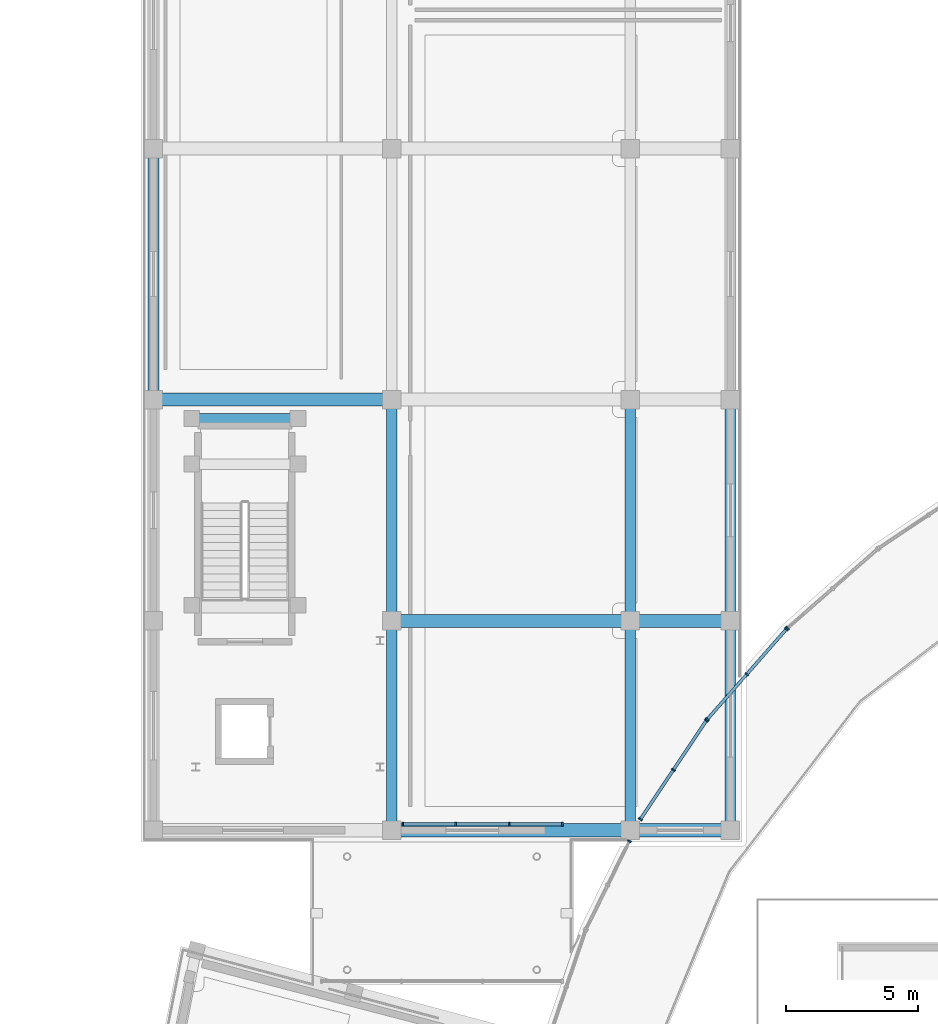
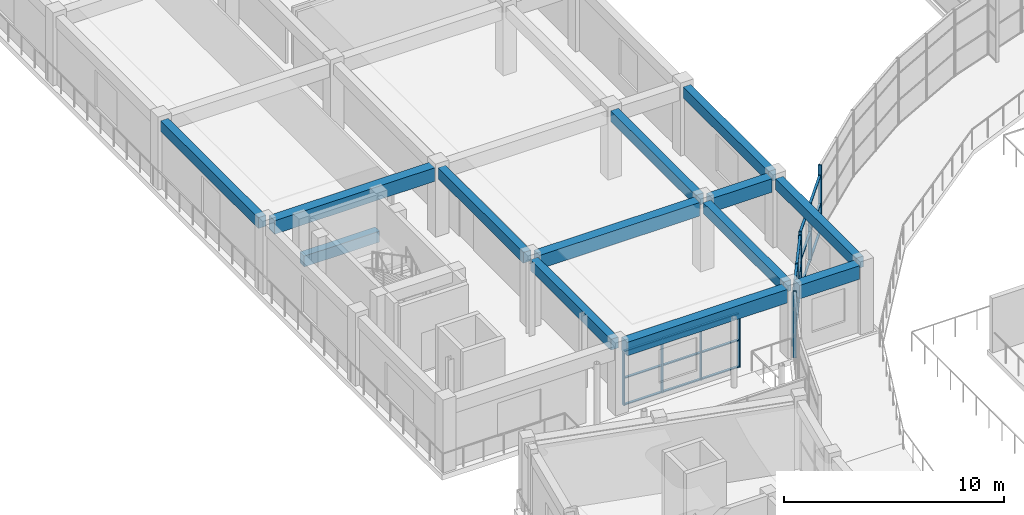
# One storey, part 26 of 83: 33 members, 13 beams, 5 elements without a shape of their own.
"""IFC4 building model written with IfcOpenShell, lengths in metres."""

from ifc_helpers import new_model, si_unit, direction, frame, origin, origin_2d, place, context, subcontext, project, spatial, rectangle, extrude, material, material_profile, profile_set, type_object, element, aggregate, save


model = new_model("IFC4")

# Units and contexts
model_context = context("Model", 3, precision=1e-05, world=origin(), true_north=direction((0.0, 1.0)))
body_context = subcontext(model_context, "Body", "Model", "MODEL_VIEW")
ifc_project = project(units=[si_unit("LENGTHUNIT", "METRE"), si_unit("AREAUNIT", "SQUARE_METRE"), si_unit("VOLUMEUNIT", "CUBIC_METRE"), si_unit("PLANEANGLEUNIT", "RADIAN"), si_unit("MASSUNIT", "GRAM", prefix="KILO")], contexts=[model_context])

# Site, building, storey
site_placement = place(None, origin())
site = spatial("IfcSite", under=ifc_project, at=site_placement, CompositionType="ELEMENT")
building_placement = place(site_placement, origin())
building = spatial("IfcBuilding", under=site, at=building_placement, Name="Saryqyr Civic Hall", CompositionType="ELEMENT")
storey_placement = place(building_placement, frame((0.0, 0.0, 9.14990234375)))
storey = spatial("IfcBuildingStorey", under=building, at=storey_placement, Name="L02", CompositionType="ELEMENT", Elevation=9.14990234375)

# Curtain wall, member
ifc_material_1 = material(Name="Anodised aluminium and triple low-E glass", Category="aluminium")
curtain_wall_type_1 = type_object("IfcCurtainWallType", Name="ENV-CW-STD-74", PredefinedType="NOTDEFINED", material=ifc_material_1)
curtain_wall_1_placement = place(storey_placement, origin())
curtain_wall_1 = element("IfcCurtainWall", 1, at=curtain_wall_1_placement, inside=storey, type_object=curtain_wall_type_1, Name="Curtain wall V2-PERIM-CW-L02-17", PredefinedType="NOTDEFINED")
ifc_material_2 = material(Name="Anodised aluminium", Category="aluminium")
ifc_material_profile_1 = material_profile(ifc_material_2, rectangle(XDim=0.06005859375, YDim=0.159912109375, at=origin_2d()), Name="ALU MULLION 60x160")
ifc_profile_set_1 = profile_set([ifc_material_profile_1], Name="Anodised aluminium")
member_type_1 = type_object("IfcMemberType", Name="ENV-CW-MUL-180", PredefinedType="MULLION", material=ifc_profile_set_1)
member_1_placement = place(storey_placement, frame((32.1181640625, 108.924072265625, 0.0), z_axis=(0.0, 0.0, 1.0), x_axis=(0.751838018573, 0.659347854951, 0.0)))
member_1 = element("IfcMember", 2, at=member_1_placement, type_object=member_type_1, Name="CW-74 mullion 1", PredefinedType="MULLION", context=body_context, shape_type="SweptSolid", body=[
    extrude(rectangle(XDim=0.06005859375, YDim=0.159912109375, at=origin_2d()), origin(), (0.0, 0.0, 1.0), 3.7001953125),
])
aggregate(curtain_wall_1, [member_1])

# Curtain wall, members
curtain_wall_type_2 = type_object("IfcCurtainWallType", Name="ENV-CW-STD-30", PredefinedType="NOTDEFINED", material=ifc_material_1)
curtain_wall_2_placement = place(storey_placement, origin())
curtain_wall_2 = element("IfcCurtainWall", 3, at=curtain_wall_2_placement, inside=storey, type_object=curtain_wall_type_2, Name="Curtain wall V2-PERIM-CW-L02-18", PredefinedType="NOTDEFINED")
member_2_placement = place(storey_placement, frame((29.077880859375, 105.463134765625, 0.0), z_axis=(0.0, 0.0, 1.0), x_axis=(0.659347854951, 0.751838018573, 0.0)))
member_2 = element("IfcMember", 4, at=member_2_placement, type_object=member_type_1, Name="CW-30 mullion 1", PredefinedType="MULLION", context=body_context, shape_type="SweptSolid", body=[
    extrude(rectangle(XDim=0.06005859375, YDim=0.159912109375, at=origin_2d()), origin(), (0.0, 0.0, 1.0), 3.155029296875),
])
member_3_placement = place(storey_placement, frame((30.576904296875, 107.17236328125, 0.0), z_axis=(0.0, 0.0, 1.0), x_axis=(0.659347854951, 0.751838018573, 0.0)))
member_3 = element("IfcMember", 5, at=member_3_placement, type_object=member_type_1, Name="CW-30 mullion 2", PredefinedType="MULLION", context=body_context, shape_type="SweptSolid", body=[
    extrude(rectangle(XDim=0.06005859375, YDim=0.159912109375, at=origin_2d()), origin(), (0.0, 0.0, 1.0), 3.155029296875),
])
member_4_placement = place(storey_placement, frame((32.075927734375, 108.8818359375, 0.0), z_axis=(0.0, 0.0, 1.0), x_axis=(0.659347854951, 0.751838018573, 0.0)))
member_4 = element("IfcMember", 6, at=member_4_placement, type_object=member_type_1, Name="CW-30 mullion 3", PredefinedType="MULLION", context=body_context, shape_type="SweptSolid", body=[
    extrude(rectangle(XDim=0.06005859375, YDim=0.159912109375, at=origin_2d()), origin(), (0.0, 0.0, 1.0), 3.155029296875),
])

curtain_wall_type_3 = type_object("IfcCurtainWallType", Name="ENV-CW-STD-80", PredefinedType="NOTDEFINED", material=ifc_material_1)
curtain_wall_3_placement = place(storey_placement, origin())
curtain_wall_3 = element("IfcCurtainWall", 7, at=curtain_wall_3_placement, inside=storey, type_object=curtain_wall_type_3, Name="Curtain wall V2-PERIM-CW-L02-19", PredefinedType="NOTDEFINED")
member_5_placement = place(storey_placement, frame((26.53515625, 101.6650390625, 0.0), z_axis=(0.0, 0.0, 1.0), x_axis=(0.555573298593, 0.831467563944, 0.0)))
member_5 = element("IfcMember", 8, at=member_5_placement, type_object=member_type_1, Name="CW-80 mullion 1", PredefinedType="MULLION", context=body_context, shape_type="SweptSolid", body=[
    extrude(rectangle(XDim=0.06005859375, YDim=0.159912109375, at=origin_2d()), origin(), (0.0, 0.0, 1.0), 3.005126953125),
])
member_6_placement = place(storey_placement, frame((27.788330078125, 103.540283203125, 0.0), z_axis=(0.0, 0.0, 1.0), x_axis=(0.555573298593, 0.831467563944, 0.0)))
member_6 = element("IfcMember", 9, at=member_6_placement, type_object=member_type_1, Name="CW-80 mullion 2", PredefinedType="MULLION", context=body_context, shape_type="SweptSolid", body=[
    extrude(rectangle(XDim=0.06005859375, YDim=0.159912109375, at=origin_2d()), origin(), (0.0, 0.0, 1.0), 3.005126953125),
])
member_7_placement = place(storey_placement, frame((29.04150390625, 105.415771484375, 0.0), z_axis=(0.0, 0.0, 1.0), x_axis=(0.555573298593, 0.831467563944, 0.0)))
member_7 = element("IfcMember", 10, at=member_7_placement, type_object=member_type_1, Name="CW-80 mullion 3", PredefinedType="MULLION", context=body_context, shape_type="SweptSolid", body=[
    extrude(rectangle(XDim=0.06005859375, YDim=0.159912109375, at=origin_2d()), origin(), (0.0, 0.0, 1.0), 3.005126953125),
])

# Curtain wall, member
curtain_wall_type_4 = type_object("IfcCurtainWallType", Name="ENV-CW-STD-44", PredefinedType="NOTDEFINED", material=ifc_material_1)
curtain_wall_4_placement = place(storey_placement, origin())
curtain_wall_4 = element("IfcCurtainWall", 11, at=curtain_wall_4_placement, inside=storey, type_object=curtain_wall_type_4, Name="Curtain wall V2-PERIM-CW-L02-20", PredefinedType="NOTDEFINED")
member_8_placement = place(storey_placement, frame((26.115478515625, 100.8330078125, 0.0), z_axis=(0.0, 0.0, 1.0), x_axis=(0.442274074143, 0.896879949236, 0.0)))
member_8 = element("IfcMember", 12, at=member_8_placement, type_object=member_type_1, Name="CW-44 mullion 3", PredefinedType="MULLION", context=body_context, shape_type="SweptSolid", body=[
    extrude(rectangle(XDim=0.06005859375, YDim=0.159912109375, at=origin_2d()), origin(), (0.0, 0.0, 1.0), 3.7001953125),
])
aggregate(curtain_wall_4, [member_8])

# Curtain wall, members
curtain_wall_type_5 = type_object("IfcCurtainWallType", Name="ENV-CW-STD-85", PredefinedType="NOTDEFINED", material=ifc_material_1)
curtain_wall_5_placement = place(storey_placement, origin())
curtain_wall_5 = element("IfcCurtainWall", 13, at=curtain_wall_5_placement, inside=storey, type_object=curtain_wall_type_5, Name="Curtain wall BR-NW-CW2-L02", PredefinedType="NOTDEFINED")
member_9_placement = place(storey_placement, frame((17.52001953125, 101.47998046875, 0.0), z_axis=(0.0, 0.0, 1.0), x_axis=(1.0, 0.0, 0.0)))
member_9 = element("IfcMember", 14, at=member_9_placement, type_object=member_type_1, Name="CW-85 mullion 1", PredefinedType="MULLION", context=body_context, shape_type="SweptSolid", body=[
    extrude(rectangle(XDim=0.06005859375, YDim=0.159912109375, at=origin_2d()), origin(), (0.0, 0.0, 1.0), 3.01513671875),
])
member_10_placement = place(storey_placement, frame((19.526611328125, 101.47998046875, 0.0), z_axis=(0.0, 0.0, 1.0), x_axis=(1.0, 0.0, 0.0)))
member_10 = element("IfcMember", 15, at=member_10_placement, type_object=member_type_1, Name="CW-85 mullion 2", PredefinedType="MULLION", context=body_context, shape_type="SweptSolid", body=[
    extrude(rectangle(XDim=0.06005859375, YDim=0.159912109375, at=origin_2d()), origin(), (0.0, 0.0, 1.0), 3.01513671875),
])
member_11_placement = place(storey_placement, frame((21.563232421875, 101.47998046875, 0.0), z_axis=(0.0, 0.0, 1.0), x_axis=(1.0, 0.0, 0.0)))
member_11 = element("IfcMember", 16, at=member_11_placement, type_object=member_type_1, Name="CW-85 mullion 3", PredefinedType="MULLION", context=body_context, shape_type="SweptSolid", body=[
    extrude(rectangle(XDim=0.06005859375, YDim=0.159912109375, at=origin_2d()), origin(), (0.0, 0.0, 1.0), 3.01513671875),
])
member_12_placement = place(storey_placement, frame((23.570068359375, 101.47998046875, 0.0), z_axis=(0.0, 0.0, 1.0), x_axis=(1.0, 0.0, 0.0)))
member_12 = element("IfcMember", 17, at=member_12_placement, type_object=member_type_1, Name="CW-85 mullion 4", PredefinedType="MULLION", context=body_context, shape_type="SweptSolid", body=[
    extrude(rectangle(XDim=0.06005859375, YDim=0.159912109375, at=origin_2d()), origin(), (0.0, 0.0, 1.0), 3.01513671875),
])

# Member
ifc_material_profile_2 = material_profile(ifc_material_2, rectangle(XDim=0.1201171875, YDim=0.06005859375, at=origin_2d()), Name="ALU TRANSOM 120x60")
ifc_profile_set_2 = profile_set([ifc_material_profile_2], Name="Anodised aluminium")
member_type_2 = type_object("IfcMemberType", Name="ENV-CW-TRN-150", PredefinedType="USERDEFINED", material=ifc_profile_set_2)
member_13_placement = place(storey_placement, frame((29.09765625, 105.485595703125, 0.030029296875), z_axis=(0.659324084984, 0.751858863723, 0.0), x_axis=(-0.751858863723, 0.659324084984, 0.0)))
member_13 = element("IfcMember", 18, at=member_13_placement, type_object=member_type_2, Name="CW-30 transom 1.1", ObjectType="TRANSOM", PredefinedType="USERDEFINED", context=body_context, shape_type="SweptSolid", body=[
    extrude(rectangle(XDim=0.1201171875, YDim=0.06005859375, at=origin_2d()), origin(), (0.0, 0.0, 1.0), 2.213623046875),
])

member_14_placement = place(storey_placement, frame((29.09765625, 105.485595703125, 1.578125), z_axis=(0.659324084984, 0.751858863723, 0.0), x_axis=(-0.751858863723, 0.659324084984, 0.0)))
member_14 = element("IfcMember", 19, at=member_14_placement, type_object=member_type_2, Name="CW-30 transom 1.2", ObjectType="TRANSOM", PredefinedType="USERDEFINED", context=body_context, shape_type="SweptSolid", body=[
    extrude(rectangle(XDim=0.1201171875, YDim=0.06005859375, at=origin_2d()), origin(), (0.0, 0.0, 1.0), 2.213623046875),
])

member_15_placement = place(storey_placement, frame((29.09765625, 105.485595703125, 3.125), z_axis=(0.659324084984, 0.751858863723, 0.0), x_axis=(-0.751858863723, 0.659324084984, 0.0)))
member_15 = element("IfcMember", 20, at=member_15_placement, type_object=member_type_2, Name="CW-30 transom 1.3", ObjectType="TRANSOM", PredefinedType="USERDEFINED", context=body_context, shape_type="SweptSolid", body=[
    extrude(rectangle(XDim=0.1201171875, YDim=0.06005859375, at=origin_2d()), origin(), (0.0, 0.0, 1.0), 2.213623046875),
])

member_16_placement = place(storey_placement, frame((30.5966796875, 107.195068359375, 0.030029296875), z_axis=(0.659378761453, 0.751810913025, 0.0), x_axis=(-0.751810913025, 0.659378761453, 0.0)))
member_16 = element("IfcMember", 21, at=member_16_placement, type_object=member_type_2, Name="CW-30 transom 2.1", ObjectType="TRANSOM", PredefinedType="USERDEFINED", context=body_context, shape_type="SweptSolid", body=[
    extrude(rectangle(XDim=0.1201171875, YDim=0.06005859375, at=origin_2d()), origin(), (0.0, 0.0, 1.0), 2.21337890625),
])

member_17_placement = place(storey_placement, frame((30.5966796875, 107.195068359375, 1.578125), z_axis=(0.659378761453, 0.751810913025, 0.0), x_axis=(-0.751810913025, 0.659378761453, 0.0)))
member_17 = element("IfcMember", 22, at=member_17_placement, type_object=member_type_2, Name="CW-30 transom 2.2", ObjectType="TRANSOM", PredefinedType="USERDEFINED", context=body_context, shape_type="SweptSolid", body=[
    extrude(rectangle(XDim=0.1201171875, YDim=0.06005859375, at=origin_2d()), origin(), (0.0, 0.0, 1.0), 2.21337890625),
])

member_18_placement = place(storey_placement, frame((30.5966796875, 107.195068359375, 3.125), z_axis=(0.659378761453, 0.751810913025, 0.0), x_axis=(-0.751810913025, 0.659378761453, 0.0)))
member_18 = element("IfcMember", 23, at=member_18_placement, type_object=member_type_2, Name="CW-30 transom 2.3", ObjectType="TRANSOM", PredefinedType="USERDEFINED", context=body_context, shape_type="SweptSolid", body=[
    extrude(rectangle(XDim=0.1201171875, YDim=0.06005859375, at=origin_2d()), origin(), (0.0, 0.0, 1.0), 2.21337890625),
])

aggregate(curtain_wall_2, [member_2, member_3, member_4, member_13, member_14, member_15, member_16, member_17, member_18])

member_19_placement = place(storey_placement, frame((26.552001953125, 101.68994140625, 0.030029296875), z_axis=(0.555572410576, 0.831468157302, 0.0), x_axis=(-0.831468157302, 0.555572410576, 0.0)))
member_19 = element("IfcMember", 24, at=member_19_placement, type_object=member_type_2, Name="CW-80 transom 1.1", ObjectType="TRANSOM", PredefinedType="USERDEFINED", context=body_context, shape_type="SweptSolid", body=[
    extrude(rectangle(XDim=0.1201171875, YDim=0.06005859375, at=origin_2d()), origin(), (0.0, 0.0, 1.0), 2.195556640625),
])

member_20_placement = place(storey_placement, frame((26.552001953125, 101.68994140625, 1.502197265625), z_axis=(0.555572410576, 0.831468157302, 0.0), x_axis=(-0.831468157302, 0.555572410576, 0.0)))
member_20 = element("IfcMember", 25, at=member_20_placement, type_object=member_type_2, Name="CW-80 transom 1.2", ObjectType="TRANSOM", PredefinedType="USERDEFINED", context=body_context, shape_type="SweptSolid", body=[
    extrude(rectangle(XDim=0.1201171875, YDim=0.06005859375, at=origin_2d()), origin(), (0.0, 0.0, 1.0), 2.195556640625),
])

member_21_placement = place(storey_placement, frame((26.552001953125, 101.68994140625, 2.97509765625), z_axis=(0.555572410576, 0.831468157302, 0.0), x_axis=(-0.831468157302, 0.555572410576, 0.0)))
member_21 = element("IfcMember", 26, at=member_21_placement, type_object=member_type_2, Name="CW-80 transom 1.3", ObjectType="TRANSOM", PredefinedType="USERDEFINED", context=body_context, shape_type="SweptSolid", body=[
    extrude(rectangle(XDim=0.1201171875, YDim=0.06005859375, at=origin_2d()), origin(), (0.0, 0.0, 1.0), 2.195556640625),
])

member_22_placement = place(storey_placement, frame((27.804931640625, 103.565185546875, 0.030029296875), z_axis=(0.555572410576, 0.831468157302, 0.0), x_axis=(-0.831468157302, 0.555572410576, 0.0)))
member_22 = element("IfcMember", 27, at=member_22_placement, type_object=member_type_2, Name="CW-80 transom 2.1", ObjectType="TRANSOM", PredefinedType="USERDEFINED", context=body_context, shape_type="SweptSolid", body=[
    extrude(rectangle(XDim=0.1201171875, YDim=0.06005859375, at=origin_2d()), origin(), (0.0, 0.0, 1.0), 2.195556640625),
])

member_23_placement = place(storey_placement, frame((27.804931640625, 103.565185546875, 1.502197265625), z_axis=(0.555572410576, 0.831468157302, 0.0), x_axis=(-0.831468157302, 0.555572410576, 0.0)))
member_23 = element("IfcMember", 28, at=member_23_placement, type_object=member_type_2, Name="CW-80 transom 2.2", ObjectType="TRANSOM", PredefinedType="USERDEFINED", context=body_context, shape_type="SweptSolid", body=[
    extrude(rectangle(XDim=0.1201171875, YDim=0.06005859375, at=origin_2d()), origin(), (0.0, 0.0, 1.0), 2.195556640625),
])

member_24_placement = place(storey_placement, frame((27.804931640625, 103.565185546875, 2.97509765625), z_axis=(0.555572410576, 0.831468157302, 0.0), x_axis=(-0.831468157302, 0.555572410576, 0.0)))
member_24 = element("IfcMember", 29, at=member_24_placement, type_object=member_type_2, Name="CW-80 transom 2.3", ObjectType="TRANSOM", PredefinedType="USERDEFINED", context=body_context, shape_type="SweptSolid", body=[
    extrude(rectangle(XDim=0.1201171875, YDim=0.06005859375, at=origin_2d()), origin(), (0.0, 0.0, 1.0), 2.195556640625),
])

aggregate(curtain_wall_3, [member_5, member_6, member_7, member_19, member_20, member_21, member_22, member_23, member_24])

member_25_placement = place(storey_placement, frame((17.550048828125, 101.47998046875, 0.030029296875), z_axis=(1.0, 0.0, 0.0), x_axis=(0.0, 1.0, 0.0)))
member_25 = element("IfcMember", 30, at=member_25_placement, type_object=member_type_2, Name="CW-85 transom 1.1", ObjectType="TRANSOM", PredefinedType="USERDEFINED", context=body_context, shape_type="SweptSolid", body=[
    extrude(rectangle(XDim=0.1201171875, YDim=0.06005859375, at=origin_2d()), origin(), (0.0, 0.0, 1.0), 1.946533203125),
])

member_26_placement = place(storey_placement, frame((17.550048828125, 101.47998046875, 1.508056640625), z_axis=(1.0, 0.0, 0.0), x_axis=(0.0, 1.0, 0.0)))
member_26 = element("IfcMember", 31, at=member_26_placement, type_object=member_type_2, Name="CW-85 transom 1.2", ObjectType="TRANSOM", PredefinedType="USERDEFINED", context=body_context, shape_type="SweptSolid", body=[
    extrude(rectangle(XDim=0.1201171875, YDim=0.06005859375, at=origin_2d()), origin(), (0.0, 0.0, 1.0), 1.946533203125),
])

member_27_placement = place(storey_placement, frame((17.550048828125, 101.47998046875, 2.985107421875), z_axis=(1.0, 0.0, 0.0), x_axis=(0.0, 1.0, 0.0)))
member_27 = element("IfcMember", 32, at=member_27_placement, type_object=member_type_2, Name="CW-85 transom 1.3", ObjectType="TRANSOM", PredefinedType="USERDEFINED", context=body_context, shape_type="SweptSolid", body=[
    extrude(rectangle(XDim=0.1201171875, YDim=0.06005859375, at=origin_2d()), origin(), (0.0, 0.0, 1.0), 1.946533203125),
])

member_28_placement = place(storey_placement, frame((19.556640625, 101.47998046875, 0.030029296875), z_axis=(1.0, 0.0, 0.0), x_axis=(0.0, 1.0, 0.0)))
member_28 = element("IfcMember", 33, at=member_28_placement, type_object=member_type_2, Name="CW-85 transom 2.1", ObjectType="TRANSOM", PredefinedType="USERDEFINED", context=body_context, shape_type="SweptSolid", body=[
    extrude(rectangle(XDim=0.1201171875, YDim=0.06005859375, at=origin_2d()), origin(), (0.0, 0.0, 1.0), 1.976806640625),
])

member_29_placement = place(storey_placement, frame((19.556640625, 101.47998046875, 1.508056640625), z_axis=(1.0, 0.0, 0.0), x_axis=(0.0, 1.0, 0.0)))
member_29 = element("IfcMember", 34, at=member_29_placement, type_object=member_type_2, Name="CW-85 transom 2.2", ObjectType="TRANSOM", PredefinedType="USERDEFINED", context=body_context, shape_type="SweptSolid", body=[
    extrude(rectangle(XDim=0.1201171875, YDim=0.06005859375, at=origin_2d()), origin(), (0.0, 0.0, 1.0), 1.976806640625),
])

member_30_placement = place(storey_placement, frame((19.556640625, 101.47998046875, 2.985107421875), z_axis=(1.0, 0.0, 0.0), x_axis=(0.0, 1.0, 0.0)))
member_30 = element("IfcMember", 35, at=member_30_placement, type_object=member_type_2, Name="CW-85 transom 2.3", ObjectType="TRANSOM", PredefinedType="USERDEFINED", context=body_context, shape_type="SweptSolid", body=[
    extrude(rectangle(XDim=0.1201171875, YDim=0.06005859375, at=origin_2d()), origin(), (0.0, 0.0, 1.0), 1.976806640625),
])

member_31_placement = place(storey_placement, frame((21.59326171875, 101.47998046875, 0.030029296875), z_axis=(1.0, 0.0, 0.0), x_axis=(0.0, 1.0, 0.0)))
member_31 = element("IfcMember", 36, at=member_31_placement, type_object=member_type_2, Name="CW-85 transom 3.1", ObjectType="TRANSOM", PredefinedType="USERDEFINED", context=body_context, shape_type="SweptSolid", body=[
    extrude(rectangle(XDim=0.1201171875, YDim=0.06005859375, at=origin_2d()), origin(), (0.0, 0.0, 1.0), 1.94677734375),
])

member_32_placement = place(storey_placement, frame((21.59326171875, 101.47998046875, 1.508056640625), z_axis=(1.0, 0.0, 0.0), x_axis=(0.0, 1.0, 0.0)))
member_32 = element("IfcMember", 37, at=member_32_placement, type_object=member_type_2, Name="CW-85 transom 3.2", ObjectType="TRANSOM", PredefinedType="USERDEFINED", context=body_context, shape_type="SweptSolid", body=[
    extrude(rectangle(XDim=0.1201171875, YDim=0.06005859375, at=origin_2d()), origin(), (0.0, 0.0, 1.0), 1.94677734375),
])

member_33_placement = place(storey_placement, frame((21.59326171875, 101.47998046875, 2.985107421875), z_axis=(1.0, 0.0, 0.0), x_axis=(0.0, 1.0, 0.0)))
member_33 = element("IfcMember", 38, at=member_33_placement, type_object=member_type_2, Name="CW-85 transom 3.3", ObjectType="TRANSOM", PredefinedType="USERDEFINED", context=body_context, shape_type="SweptSolid", body=[
    extrude(rectangle(XDim=0.1201171875, YDim=0.06005859375, at=origin_2d()), origin(), (0.0, 0.0, 1.0), 1.94677734375),
])

aggregate(curtain_wall_5, [member_9, member_10, member_11, member_12, member_25, member_26, member_27, member_28, member_29, member_30, member_31, member_32, member_33])

# Beams
ifc_material_3 = material(Name="Concrete C35/45", Category="concrete")
ifc_material_profile_3 = material_profile(ifc_material_3, rectangle(XDim=0.39990234375, YDim=0.60009765625, at=origin_2d()), Name="RC 400x600")
ifc_profile_set_3 = profile_set([ifc_material_profile_3], Name="Concrete C35/45")
beam_type_1 = type_object("IfcBeamType", Name="STR-BM-RC400x600", PredefinedType="BEAM", material=ifc_profile_set_3)
beam_1_placement = place(storey_placement, frame((8.050048828125, 117.925048828125, 3.489990234375), z_axis=(0.0, 1.0, 0.0), x_axis=(-1.0, 0.0, 0.0)))
element("IfcBeam", 39, at=beam_1_placement, inside=storey, type_object=beam_type_1, Name="Beam V3-BM-NS-1-3-L02", PredefinedType="BEAM", context=body_context, shape_type="SweptSolid", body=[
    extrude(rectangle(XDim=0.39990234375, YDim=0.60009765625, at=origin_2d()), origin(), (0.0, 0.0, 1.0), 8.8798828125),
])
beam_2_placement = place(storey_placement, frame((17.10009765625, 101.574951171875, 3.489990234375), z_axis=(0.0, 1.0, 0.0), x_axis=(-1.0, 0.0, 0.0)))
element("IfcBeam", 40, at=beam_2_placement, inside=storey, type_object=beam_type_1, Name="Beam V3-BM-NS-2-1-L02", PredefinedType="BEAM", context=body_context, shape_type="SweptSolid", body=[
    extrude(rectangle(XDim=0.39990234375, YDim=0.60009765625, at=origin_2d()), origin(), (0.0, 0.0, 1.0), 7.300048828125),
])
beam_3_placement = place(storey_placement, frame((17.10009765625, 109.52490234375, 3.489990234375), z_axis=(0.0, 1.0, 0.0), x_axis=(-1.0, 0.0, 0.0)))
element("IfcBeam", 41, at=beam_3_placement, inside=storey, type_object=beam_type_1, Name="Beam V3-BM-NS-2-2-L02", PredefinedType="BEAM", context=body_context, shape_type="SweptSolid", body=[
    extrude(rectangle(XDim=0.39990234375, YDim=0.60009765625, at=origin_2d()), origin(), (0.0, 0.0, 1.0), 7.75),
])
beam_4_placement = place(storey_placement, frame((26.14990234375, 101.574951171875, 3.489990234375), z_axis=(0.0, 1.0, 0.0), x_axis=(-1.0, 0.0, 0.0)))
element("IfcBeam", 42, at=beam_4_placement, inside=storey, type_object=beam_type_1, Name="Beam V3-BM-NS-3-1-L02", PredefinedType="BEAM", context=body_context, shape_type="SweptSolid", body=[
    extrude(rectangle(XDim=0.39990234375, YDim=0.60009765625, at=origin_2d()), origin(), (0.0, 0.0, 1.0), 7.300048828125),
])
beam_5_placement = place(storey_placement, frame((26.14990234375, 109.52490234375, 3.489990234375), z_axis=(0.0, 1.0, 0.0), x_axis=(-1.0, 0.0, 0.0)))
element("IfcBeam", 43, at=beam_5_placement, inside=storey, type_object=beam_type_1, Name="Beam V3-BM-NS-3-2-L02", PredefinedType="BEAM", context=body_context, shape_type="SweptSolid", body=[
    extrude(rectangle(XDim=0.39990234375, YDim=0.60009765625, at=origin_2d()), origin(), (0.0, 0.0, 1.0), 7.75),
])
beam_6_placement = place(storey_placement, frame((29.949951171875, 101.574951171875, 3.47998046875), z_axis=(0.0, 1.0, 0.0), x_axis=(-1.0, 0.0, 0.0)))
element("IfcBeam", 44, at=beam_6_placement, inside=storey, type_object=beam_type_1, Name="Beam V3-BM-NS-4-1-L02", PredefinedType="BEAM", context=body_context, shape_type="SweptSolid", body=[
    extrude(rectangle(XDim=0.39990234375, YDim=0.60009765625, at=origin_2d()), origin(), (0.0, 0.0, 1.0), 7.300048828125),
])
beam_7_placement = place(storey_placement, frame((29.949951171875, 109.52490234375, 3.47998046875), z_axis=(0.0, 1.0, 0.0), x_axis=(-1.0, 0.0, 0.0)))
element("IfcBeam", 45, at=beam_7_placement, inside=storey, type_object=beam_type_1, Name="Beam V3-BM-NS-4-2-L02", PredefinedType="BEAM", context=body_context, shape_type="SweptSolid", body=[
    extrude(rectangle(XDim=0.39990234375, YDim=0.60009765625, at=origin_2d()), origin(), (0.0, 0.0, 1.0), 7.75),
])
beam_8_placement = place(storey_placement, frame((13.5, 116.8798828125, 1.525146484375), z_axis=(-1.0, 0.0, 0.0), x_axis=(0.0, -1.0, 0.0)))
element("IfcBeam", 46, at=beam_8_placement, inside=storey, type_object=beam_type_1, Name="Stair half-landing support beam ST-3-LND2-L02", PredefinedType="BEAM", context=body_context, shape_type="SweptSolid", body=[
    extrude(rectangle(XDim=0.39990234375, YDim=0.60009765625, at=origin_2d()), origin(), (0.0, 0.0, 1.0), 3.9599609375),
])
ifc_material_4 = material(Name="Concrete C40/50", Category="concrete")
ifc_material_profile_4 = material_profile(ifc_material_4, rectangle(XDim=0.5, YDim=0.75, at=origin_2d()), Name="RC 500x750")
ifc_profile_set_4 = profile_set([ifc_material_profile_4], Name="Concrete C40/50")
beam_type_2 = type_object("IfcBeamType", Name="STR-BM-RC500x750", PredefinedType="BEAM", material=ifc_profile_set_4)
beam_9_placement = place(storey_placement, frame((17.425048828125, 101.25, 3.4150390625), z_axis=(1.0, 0.0, 0.0), x_axis=(0.0, 1.0, 0.0)))
element("IfcBeam", 47, at=beam_9_placement, inside=storey, type_object=beam_type_2, Name="Beam V3-BM-EW-1-2-L02", PredefinedType="BEAM", context=body_context, shape_type="SweptSolid", body=[
    extrude(rectangle(XDim=0.5, YDim=0.75, at=origin_2d()), origin(), (0.0, 0.0, 1.0), 8.39990234375),
])
beam_10_placement = place(storey_placement, frame((26.47509765625, 101.25, 3.405029296875), z_axis=(1.0, 0.0, 0.0), x_axis=(0.0, 1.0, 0.0)))
element("IfcBeam", 48, at=beam_10_placement, inside=storey, type_object=beam_type_2, Name="Beam V3-BM-EW-1-3-L02", PredefinedType="BEAM", context=body_context, shape_type="SweptSolid", body=[
    extrude(rectangle(XDim=0.5, YDim=0.75, at=origin_2d()), origin(), (0.0, 0.0, 1.0), 3.14990234375),
])
beam_11_placement = place(storey_placement, frame((17.425048828125, 109.199951171875, 3.4150390625), z_axis=(1.0, 0.0, 0.0), x_axis=(0.0, 1.0, 0.0)))
element("IfcBeam", 49, at=beam_11_placement, inside=storey, type_object=beam_type_2, Name="Beam V3-BM-EW-2-2-L02", PredefinedType="BEAM", context=body_context, shape_type="SweptSolid", body=[
    extrude(rectangle(XDim=0.5, YDim=0.75, at=origin_2d()), origin(), (0.0, 0.0, 1.0), 8.39990234375),
])
beam_12_placement = place(storey_placement, frame((26.47509765625, 109.199951171875, 3.405029296875), z_axis=(1.0, 0.0, 0.0), x_axis=(0.0, 1.0, 0.0)))
element("IfcBeam", 50, at=beam_12_placement, inside=storey, type_object=beam_type_2, Name="Beam V3-BM-EW-2-3-L02", PredefinedType="BEAM", context=body_context, shape_type="SweptSolid", body=[
    extrude(rectangle(XDim=0.5, YDim=0.75, at=origin_2d()), origin(), (0.0, 0.0, 1.0), 3.14990234375),
])
beam_13_placement = place(storey_placement, frame((8.375, 117.60009765625, 3.4150390625), z_axis=(1.0, 0.0, 0.0), x_axis=(0.0, 1.0, 0.0)))
element("IfcBeam", 51, at=beam_13_placement, inside=storey, type_object=beam_type_2, Name="Beam V3-BM-EW-3-1-L02", PredefinedType="BEAM", context=body_context, shape_type="SweptSolid", body=[
    extrude(rectangle(XDim=0.5, YDim=0.75, at=origin_2d()), origin(), (0.0, 0.0, 1.0), 8.39990234375),
])

save(model, "model.ifc")
